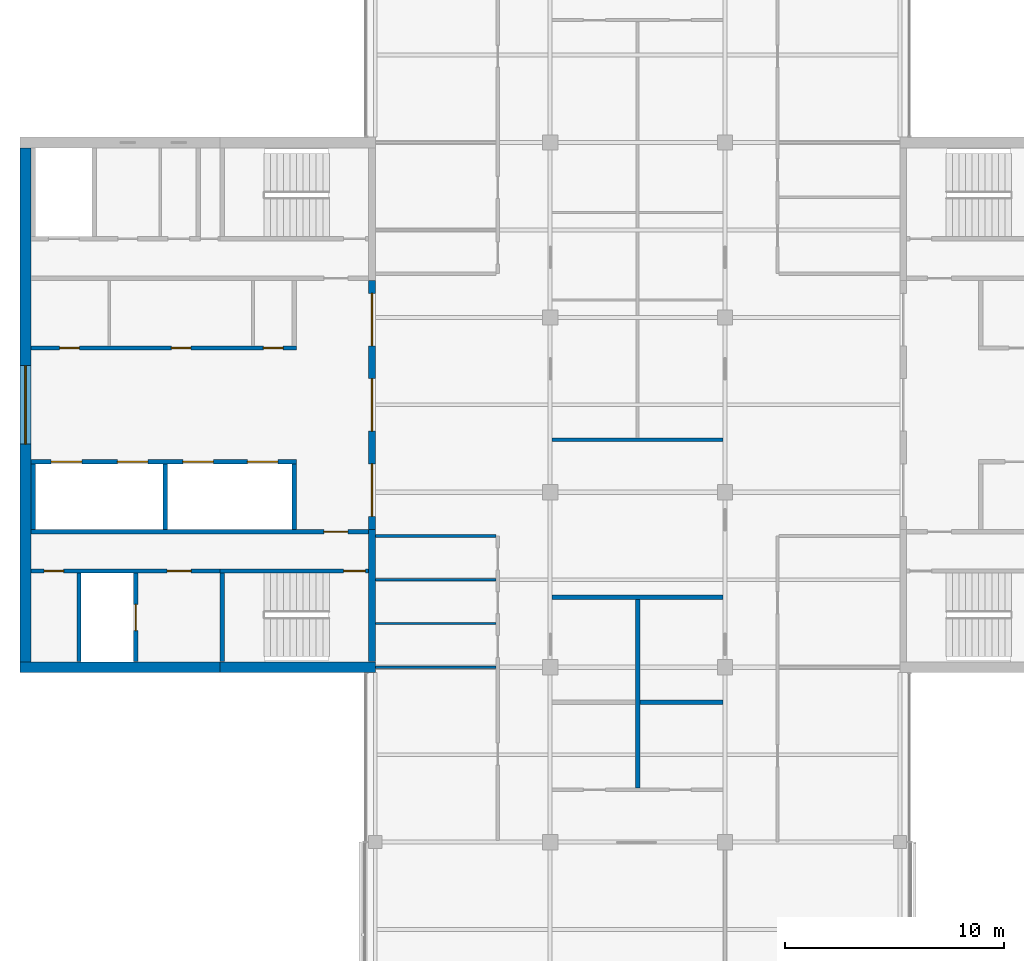
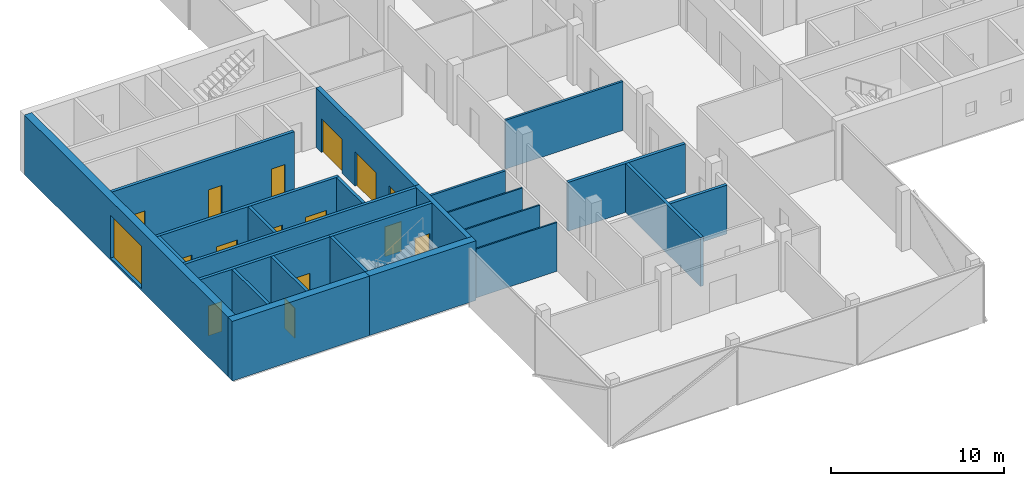
# One storey, part 9 of 16: 24 walls, 15 doors, 1 window, 16 openings.
"""IFC4 building model written with IfcOpenShell, lengths in metres."""

from ifc_helpers import new_model, si_unit, direction, frame, frame_2d, origin, place, context, subcontext, project, spatial, rectangle, extrude, material, layer, layer_set, constituent, constituent_set, type_object, element, fill, save


model = new_model("IFC4")

# Units and contexts
model_context = context("Model", 3, precision=1e-05, world=origin(), true_north=direction((0.0, 1.0)))
body_context = subcontext(model_context, "Body", "Model", "MODEL_VIEW")
ifc_project = project(units=[si_unit("LENGTHUNIT", "METRE"), si_unit("AREAUNIT", "SQUARE_METRE"), si_unit("VOLUMEUNIT", "CUBIC_METRE"), si_unit("PLANEANGLEUNIT", "RADIAN"), si_unit("MASSUNIT", "GRAM", prefix="KILO")], contexts=[model_context])

# Site, building, storey
site_placement = place(None, origin())
site = spatial("IfcSite", under=ifc_project, at=site_placement, CompositionType="ELEMENT")
building_placement = place(site_placement, origin())
building = spatial("IfcBuilding", under=site, at=building_placement, Name="Crosswind Convention Tower", CompositionType="ELEMENT")
storey_placement = place(building_placement, frame((0.0, 0.0, 270.300048828125)))
storey = spatial("IfcBuildingStorey", under=building, at=storey_placement, Name="L58", CompositionType="ELEMENT", Elevation=270.300048828125)

# Walls
ifc_material_1 = material(Name="Concrete blockwork", Category="masonry")
ifc_layer_1 = layer(ifc_material_1, 0.199951171875)
ifc_layer_set_1 = layer_set([ifc_layer_1], Name="COMPARTMENT WALL 200 BLOCKWORK")
wall_type_1 = type_object("IfcWallType", Name="COMPARTMENT WALL 200 BLOCKWORK", PredefinedType="SOLIDWALL", material=ifc_layer_set_1)
wall_1_placement = place(storey_placement, frame((125.0, 82.47509765625, 0.0), z_axis=(0.0, 0.0, 1.0), x_axis=(0.0, 1.0, 0.0)))
element("IfcWall", 1, at=wall_1_placement, inside=storey, type_object=wall_type_1, Name="Compartment wall WT42", PredefinedType="SOLIDWALL", context=body_context, shape_type="SweptSolid", body=[
    extrude(rectangle(XDim=8.625, YDim=0.199951171875, at=frame_2d((4.3125, 0.0))), origin(), (0.0, 0.0, 1.0), 3.44287109375),
])
wall_2_placement = place(storey_placement, frame((121.074951171875, 91.199951171875, 0.0), z_axis=(0.0, 0.0, 1.0), x_axis=(1.0, 0.0, 0.0)))
element("IfcWall", 2, at=wall_2_placement, inside=storey, type_object=wall_type_1, Name="Compartment wall WT42", PredefinedType="SOLIDWALL", context=body_context, shape_type="SweptSolid", body=[
    extrude(rectangle(XDim=7.824951171875, YDim=0.199951171875, at=frame_2d((3.91259765625, 0.0))), origin(), (0.0, 0.0, 1.0), 3.44287109375),
])
wall_3_placement = place(storey_placement, frame((125.10009765625, 86.39990234375, 0.0), z_axis=(0.0, 0.0, 1.0), x_axis=(1.0, 0.0, 0.0)))
element("IfcWall", 3, at=wall_3_placement, inside=storey, type_object=wall_type_1, Name="Compartment wall WT42", PredefinedType="SOLIDWALL", context=body_context, shape_type="SweptSolid", body=[
    extrude(rectangle(XDim=3.7998046875, YDim=0.199951171875, at=frame_2d((1.89990234375, 0.0))), origin(), (0.0, 0.0, 1.0), 3.44287109375),
])

# Wall, openings, doors
ifc_material_2 = material(Name="Concrete C50/60", Category="concrete")
ifc_layer_2 = layer(ifc_material_2, 0.300048828125)
ifc_layer_set_2 = layer_set([ifc_layer_2], Name="Concrete C50/60")
wall_type_2 = type_object("IfcWallType", Name="Concrete inner core wall 300", PredefinedType="SHEAR", material=ifc_layer_set_2)
wall_4_placement = place(storey_placement, frame((112.85009765625, 105.699951171875, 0.0), z_axis=(0.0, 0.0, 1.0), x_axis=(0.0, -1.0, 0.0)))
wall_4 = element("IfcWall", 4, at=wall_4_placement, inside=storey, type_object=wall_type_2, Name="Wall SCR W L58", PredefinedType="SHEAR", context=body_context, shape_type="SweptSolid", body=[
    extrude(rectangle(XDim=11.39990234375, YDim=0.300048828125, at=frame_2d((5.699951171875, 0.0))), origin(), (0.0, 0.0, 1.0), 4.199951171875),
])
opening_1_placement = place(wall_4_placement, frame((0.60009765625, 0.0, 0.0)))
opening_1 = element("IfcOpeningElement", 5, at=opening_1_placement, cuts=wall_4, Name="Opening D100", PredefinedType="OPENING", context=body_context, shape_type="SweptSolid", body=[
    extrude(rectangle(XDim=2.39990234375, YDim=2.39990234375, at=frame_2d((1.199951171875, 1.199951171875))), frame((0.0, 0.159912109375, 0.0), z_axis=(0.0, -1.0, 0.0), x_axis=(1.0, 0.0, 0.0)), (0.0, 0.0, 1.0), 0.320068359375),
])
opening_2_placement = place(wall_4_placement, frame((4.5, 0.0, 0.0)))
opening_2 = element("IfcOpeningElement", 6, at=opening_2_placement, cuts=wall_4, Name="Opening D100", PredefinedType="OPENING", context=body_context, shape_type="SweptSolid", body=[
    extrude(rectangle(XDim=2.39990234375, YDim=2.39990234375, at=frame_2d((1.199951171875, 1.199951171875))), frame((0.0, 0.159912109375, 0.0), z_axis=(0.0, -1.0, 0.0), x_axis=(1.0, 0.0, 0.0)), (0.0, 0.0, 1.0), 0.320068359375),
])
opening_3_placement = place(wall_4_placement, frame((8.39990234375, 0.0, 0.0)))
opening_3 = element("IfcOpeningElement", 7, at=opening_3_placement, cuts=wall_4, Name="Opening D100", PredefinedType="OPENING", context=body_context, shape_type="SweptSolid", body=[
    extrude(rectangle(XDim=2.39990234375, YDim=2.39990234375, at=frame_2d((1.199951171875, 1.199951171875))), frame((0.0, 0.159912109375, 0.0), z_axis=(0.0, -1.0, 0.0), x_axis=(1.0, 0.0, 0.0)), (0.0, 0.0, 1.0), 0.320068359375),
])
ifc_material_3 = material(Name="Steel fire door with glazed vision panels", Category="steel")
door_type_1 = type_object("IfcDoorType", Name="Fire-rated double door 2400x2400", OperationType="DOUBLE_DOOR_SINGLE_SWING", PredefinedType="DOOR", material=ifc_material_3)
door_1_placement = place(opening_1_placement, origin())
door_1 = element("IfcDoor", 8, at=door_1_placement, inside=storey, type_object=door_type_1, Name="Lobby door 1 L58", ObjectType="D100", OperationType="DOUBLE_DOOR_SINGLE_SWING", OverallHeight=2.39990234375, OverallWidth=2.39990234375, PredefinedType="DOOR", context=body_context, shape_type="SweptSolid", body=[
    extrude(rectangle(XDim=2.39990234375, YDim=2.39990234375, at=frame_2d((1.199951171875, 1.199951171875))), frame((0.0, 0.02490234375, 0.0), z_axis=(0.0, -1.0, 0.0), x_axis=(1.0, 0.0, 0.0)), (0.0, 0.0, 1.0), 0.050048828125),
])
fill(opening_1, door_1)
door_2_placement = place(opening_2_placement, origin())
door_2 = element("IfcDoor", 9, at=door_2_placement, inside=storey, type_object=door_type_1, Name="Lobby door 2 L58", ObjectType="D100", OperationType="DOUBLE_DOOR_SINGLE_SWING", OverallHeight=2.39990234375, OverallWidth=2.39990234375, PredefinedType="DOOR", context=body_context, shape_type="SweptSolid", body=[
    extrude(rectangle(XDim=2.39990234375, YDim=2.39990234375, at=frame_2d((1.199951171875, 1.199951171875))), frame((0.0, 0.02490234375, 0.0), z_axis=(0.0, -1.0, 0.0), x_axis=(1.0, 0.0, 0.0)), (0.0, 0.0, 1.0), 0.050048828125),
])
fill(opening_2, door_2)
door_3_placement = place(opening_3_placement, origin())
door_3 = element("IfcDoor", 10, at=door_3_placement, inside=storey, type_object=door_type_1, Name="Lobby door 3 L58", ObjectType="D100", OperationType="DOUBLE_DOOR_SINGLE_SWING", OverallHeight=2.39990234375, OverallWidth=2.39990234375, PredefinedType="DOOR", context=body_context, shape_type="SweptSolid", body=[
    extrude(rectangle(XDim=2.39990234375, YDim=2.39990234375, at=frame_2d((1.199951171875, 1.199951171875))), frame((0.0, 0.02490234375, 0.0), z_axis=(0.0, -1.0, 0.0), x_axis=(1.0, 0.0, 0.0)), (0.0, 0.0, 1.0), 0.050048828125),
])
fill(opening_3, door_3)

# Walls
wall_5_placement = place(storey_placement, frame((112.85009765625, 94.300048828125, 0.0), z_axis=(0.0, 0.0, 1.0), x_axis=(0.0, -1.0, 0.0)))
element("IfcWall", 11, at=wall_5_placement, inside=storey, type_object=wall_type_2, Name="Wall EP W L58", PredefinedType="SHEAR", context=body_context, shape_type="SweptSolid", body=[
    extrude(rectangle(XDim=6.050048828125, YDim=0.300048828125, at=frame_2d((3.02490234375, 0.0))), origin(), (0.0, 0.0, 1.0), 4.199951171875),
])
ifc_layer_3 = layer(ifc_material_2, 0.199951171875)
ifc_layer_set_3 = layer_set([ifc_layer_3], Name="Concrete C50/60")
wall_type_3 = type_object("IfcWallType", Name="Concrete shaft and stair wall 200", PredefinedType="SHEAR", material=ifc_layer_set_3)
for number, where, z_axis, x_axis, name in (
    (12, (109.300048828125, 97.300048828125, 0.0), (0.0, 0.0, 1.0), (0.0, -1.0, 0.0), "Wall RPEND W L58"),
    (13, (103.39990234375, 97.300048828125, 0.0), (0.0, 0.0, 1.0), (0.0, -1.0, 0.0), "Wall RPSEP W L58"),
    (14, (97.35009765625, 97.300048828125, 0.0), (0.0, 0.0, 1.0), (0.0, -1.0, 0.0), "Wall RPEAST W L58"),
):
    element("IfcWall", number, at=place(storey_placement, frame(where, z_axis=z_axis, x_axis=x_axis)), inside=storey, type_object=wall_type_3, Name=name, PredefinedType="SHEAR", context=body_context, shape_type="SweptSolid", body=[
        extrude(rectangle(XDim=3.0, YDim=0.199951171875, at=frame_2d((1.5, 0.0))), origin(), (0.0, 0.0, 1.0), 4.199951171875),
    ])

# Wall, openings, doors
wall_6_placement = place(storey_placement, frame((109.39990234375, 97.39990234375, 0.0), z_axis=(0.0, 0.0, 1.0), x_axis=(-1.0, 0.0, 0.0)))
wall_6 = element("IfcWall", 15, at=wall_6_placement, inside=storey, type_object=wall_type_3, Name="Wall RPFRONT W L58", PredefinedType="SHEAR", context=body_context, shape_type="SweptSolid", body=[
    extrude(rectangle(XDim=12.14990234375, YDim=0.199951171875, at=frame_2d((6.074951171875, 0.0))), origin(), (0.0, 0.0, 1.0), 4.199951171875),
])
opening_4_placement = place(wall_6_placement, frame((0.85009765625, 0.0, 0.0)))
opening_4 = element("IfcOpeningElement", 16, at=opening_4_placement, cuts=wall_6, Name="Opening LD2", PredefinedType="OPENING", context=body_context, shape_type="SweptSolid", body=[
    extrude(rectangle(XDim=1.39990234375, YDim=2.10009765625, at=frame_2d((0.699951171875, 1.050048828125))), frame((0.0, 0.10986328125, 0.0), z_axis=(0.0, -1.0, 0.0), x_axis=(1.0, 0.0, 0.0)), (0.0, 0.0, 1.0), 0.219970703125),
])
opening_5_placement = place(wall_6_placement, frame((3.800048828125, 0.0, 0.0)))
opening_5 = element("IfcOpeningElement", 17, at=opening_5_placement, cuts=wall_6, Name="Opening LD2", PredefinedType="OPENING", context=body_context, shape_type="SweptSolid", body=[
    extrude(rectangle(XDim=1.39990234375, YDim=2.10009765625, at=frame_2d((0.699951171875, 1.050048828125))), frame((0.0, 0.10986328125, 0.0), z_axis=(0.0, -1.0, 0.0), x_axis=(1.0, 0.0, 0.0)), (0.0, 0.0, 1.0), 0.219970703125),
])
opening_6_placement = place(wall_6_placement, frame((6.800048828125, 0.0, 0.0)))
opening_6 = element("IfcOpeningElement", 18, at=opening_6_placement, cuts=wall_6, Name="Opening LD2", PredefinedType="OPENING", context=body_context, shape_type="SweptSolid", body=[
    extrude(rectangle(XDim=1.39990234375, YDim=2.10009765625, at=frame_2d((0.699951171875, 1.050048828125))), frame((0.0, 0.10986328125, 0.0), z_axis=(0.0, -1.0, 0.0), x_axis=(1.0, 0.0, 0.0)), (0.0, 0.0, 1.0), 0.219970703125),
])
opening_7_placement = place(wall_6_placement, frame((9.824951171875, 0.0, 0.0)))
opening_7 = element("IfcOpeningElement", 19, at=opening_7_placement, cuts=wall_6, Name="Opening LD2", PredefinedType="OPENING", context=body_context, shape_type="SweptSolid", body=[
    extrude(rectangle(XDim=1.39990234375, YDim=2.10009765625, at=frame_2d((0.699951171875, 1.050048828125))), frame((0.0, 0.10986328125, 0.0), z_axis=(0.0, -1.0, 0.0), x_axis=(1.0, 0.0, 0.0)), (0.0, 0.0, 1.0), 0.219970703125),
])
ifc_material_4 = material(Name="Stainless steel", Category="steel")
door_type_2 = type_object("IfcDoorType", Name="Lift landing door 1400x2100", OperationType="DOUBLE_DOOR_SLIDING", PredefinedType="DOOR", material=ifc_material_4)
door_4_placement = place(opening_4_placement, origin())
door_4 = element("IfcDoor", 20, at=door_4_placement, inside=storey, type_object=door_type_2, Name="Landing door HR1 L58", ObjectType="LD2", OperationType="DOUBLE_DOOR_SLIDING", OverallHeight=2.10009765625, OverallWidth=1.39990234375, PredefinedType="DOOR", context=body_context, shape_type="SweptSolid", body=[
    extrude(rectangle(XDim=1.39990234375, YDim=2.10009765625, at=frame_2d((0.699951171875, 1.050048828125))), frame((0.0, 0.02490234375, 0.0), z_axis=(0.0, -1.0, 0.0), x_axis=(1.0, 0.0, 0.0)), (0.0, 0.0, 1.0), 0.050048828125),
])
fill(opening_4, door_4)
door_5_placement = place(opening_5_placement, origin())
door_5 = element("IfcDoor", 21, at=door_5_placement, inside=storey, type_object=door_type_2, Name="Landing door HR2 L58", ObjectType="LD2", OperationType="DOUBLE_DOOR_SLIDING", OverallHeight=2.10009765625, OverallWidth=1.39990234375, PredefinedType="DOOR", context=body_context, shape_type="SweptSolid", body=[
    extrude(rectangle(XDim=1.39990234375, YDim=2.10009765625, at=frame_2d((0.699951171875, 1.050048828125))), frame((0.0, 0.02490234375, 0.0), z_axis=(0.0, -1.0, 0.0), x_axis=(1.0, 0.0, 0.0)), (0.0, 0.0, 1.0), 0.050048828125),
])
fill(opening_5, door_5)
door_6_placement = place(opening_6_placement, origin())
door_6 = element("IfcDoor", 22, at=door_6_placement, inside=storey, type_object=door_type_2, Name="Landing door HR3 L58", ObjectType="LD2", OperationType="DOUBLE_DOOR_SLIDING", OverallHeight=2.10009765625, OverallWidth=1.39990234375, PredefinedType="DOOR", context=body_context, shape_type="SweptSolid", body=[
    extrude(rectangle(XDim=1.39990234375, YDim=2.10009765625, at=frame_2d((0.699951171875, 1.050048828125))), frame((0.0, 0.02490234375, 0.0), z_axis=(0.0, -1.0, 0.0), x_axis=(1.0, 0.0, 0.0)), (0.0, 0.0, 1.0), 0.050048828125),
])
fill(opening_6, door_6)
door_7_placement = place(opening_7_placement, origin())
door_7 = element("IfcDoor", 23, at=door_7_placement, inside=storey, type_object=door_type_2, Name="Landing door HR4 L58", ObjectType="LD2", OperationType="DOUBLE_DOOR_SLIDING", OverallHeight=2.10009765625, OverallWidth=1.39990234375, PredefinedType="DOOR", context=body_context, shape_type="SweptSolid", body=[
    extrude(rectangle(XDim=1.39990234375, YDim=2.10009765625, at=frame_2d((0.699951171875, 1.050048828125))), frame((0.0, 0.02490234375, 0.0), z_axis=(0.0, -1.0, 0.0), x_axis=(1.0, 0.0, 0.0)), (0.0, 0.0, 1.0), 0.050048828125),
])
fill(opening_7, door_7)

wall_7_placement = place(storey_placement, frame((109.39990234375, 102.60009765625, 0.0), z_axis=(0.0, 0.0, 1.0), x_axis=(-1.0, 0.0, 0.0)))
wall_7 = element("IfcWall", 24, at=wall_7_placement, inside=storey, type_object=wall_type_3, Name="Wall RMFRONT W L58", PredefinedType="SHEAR", context=body_context, shape_type="SweptSolid", body=[
    extrude(rectangle(XDim=12.14990234375, YDim=0.199951171875, at=frame_2d((6.074951171875, 0.0))), origin(), (0.0, 0.0, 1.0), 4.199951171875),
])
opening_8_placement = place(wall_7_placement, frame((0.614990234375, 0.0, 0.0)))
opening_8 = element("IfcOpeningElement", 25, at=opening_8_placement, cuts=wall_7, Name="Opening D106", PredefinedType="OPENING", context=body_context, shape_type="SweptSolid", body=[
    extrude(rectangle(XDim=0.89990234375, YDim=2.10009765625, at=frame_2d((0.449951171875, 1.050048828125))), frame((0.0, 0.10986328125, 0.0), z_axis=(0.0, -1.0, 0.0), x_axis=(1.0, 0.0, 0.0)), (0.0, 0.0, 1.0), 0.219970703125),
])
opening_9_placement = place(wall_7_placement, frame((4.828857421875, 0.0, 0.0)))
opening_9 = element("IfcOpeningElement", 26, at=opening_9_placement, cuts=wall_7, Name="Opening D106", PredefinedType="OPENING", context=body_context, shape_type="SweptSolid", body=[
    extrude(rectangle(XDim=0.89990234375, YDim=2.10009765625, at=frame_2d((0.449951171875, 1.050048828125))), frame((0.0, 0.10986328125, 0.0), z_axis=(0.0, -1.0, 0.0), x_axis=(1.0, 0.0, 0.0)), (0.0, 0.0, 1.0), 0.219970703125),
])
opening_10_placement = place(wall_7_placement, frame((9.938720703125, 0.0, 0.0)))
opening_10 = element("IfcOpeningElement", 27, at=opening_10_placement, cuts=wall_7, Name="Opening D106", PredefinedType="OPENING", context=body_context, shape_type="SweptSolid", body=[
    extrude(rectangle(XDim=0.89990234375, YDim=2.10009765625, at=frame_2d((0.449951171875, 1.050048828125))), frame((0.0, 0.10986328125, 0.0), z_axis=(0.0, -1.0, 0.0), x_axis=(1.0, 0.0, 0.0)), (0.0, 0.0, 1.0), 0.219970703125),
])
ifc_material_5 = material(Name="Timber door", Category="wood")
door_type_3 = type_object("IfcDoorType", Name="Single leaf door 900x2100", OperationType="NOTDEFINED", PredefinedType="DOOR", material=ifc_material_5)
door_8_placement = place(opening_8_placement, frame((0.89990234375, 0.0, 0.0), z_axis=(0.0, 0.0, 1.0), x_axis=(-1.0, 0.0, 0.0)))
door_8 = element("IfcDoor", 28, at=door_8_placement, inside=storey, type_object=door_type_3, Name="Door to pantry L58", ObjectType="D106", OperationType="SINGLE_SWING_LEFT", OverallHeight=2.10009765625, OverallWidth=0.89990234375, PredefinedType="DOOR", context=body_context, shape_type="SweptSolid", body=[
    extrude(rectangle(XDim=0.89990234375, YDim=2.10009765625, at=frame_2d((0.449951171875, 1.050048828125))), frame((0.0, 0.02490234375, 0.0), z_axis=(0.0, -1.0, 0.0), x_axis=(1.0, 0.0, 0.0)), (0.0, 0.0, 1.0), 0.050048828125),
])
fill(opening_8, door_8)
door_9_placement = place(opening_9_placement, frame((0.89990234375, 0.0, 0.0), z_axis=(0.0, 0.0, 1.0), x_axis=(-1.0, 0.0, 0.0)))
door_9 = element("IfcDoor", 29, at=door_9_placement, inside=storey, type_object=door_type_3, Name="Door to telecoms room L58", ObjectType="D106", OperationType="SINGLE_SWING_LEFT", OverallHeight=2.10009765625, OverallWidth=0.89990234375, PredefinedType="DOOR", context=body_context, shape_type="SweptSolid", body=[
    extrude(rectangle(XDim=0.89990234375, YDim=2.10009765625, at=frame_2d((0.449951171875, 1.050048828125))), frame((0.0, 0.02490234375, 0.0), z_axis=(0.0, -1.0, 0.0), x_axis=(1.0, 0.0, 0.0)), (0.0, 0.0, 1.0), 0.050048828125),
])
fill(opening_9, door_9)
door_10_placement = place(opening_10_placement, frame((0.89990234375, 0.0, 0.0), z_axis=(0.0, 0.0, 1.0), x_axis=(-1.0, 0.0, 0.0)))
door_10 = element("IfcDoor", 30, at=door_10_placement, inside=storey, type_object=door_type_3, Name="Door to storeroom L58", ObjectType="D106", OperationType="SINGLE_SWING_LEFT", OverallHeight=2.10009765625, OverallWidth=0.89990234375, PredefinedType="DOOR", context=body_context, shape_type="SweptSolid", body=[
    extrude(rectangle(XDim=0.89990234375, YDim=2.10009765625, at=frame_2d((0.449951171875, 1.050048828125))), frame((0.0, 0.02490234375, 0.0), z_axis=(0.0, -1.0, 0.0), x_axis=(1.0, 0.0, 0.0)), (0.0, 0.0, 1.0), 0.050048828125),
])
fill(opening_10, door_10)

# Wall, opening, door
wall_8_placement = place(storey_placement, frame((112.699951171875, 94.199951171875, 0.0), z_axis=(0.0, 0.0, 1.0), x_axis=(-1.0, 0.0, 0.0)))
wall_8 = element("IfcWall", 31, at=wall_8_placement, inside=storey, type_object=wall_type_3, Name="Wall HP W L58", PredefinedType="SHEAR", context=body_context, shape_type="SweptSolid", body=[
    extrude(rectangle(XDim=15.449951171875, YDim=0.199951171875, at=frame_2d((7.72509765625, 0.0))), origin(), (0.0, 0.0, 1.0), 4.199951171875),
])
opening_11_placement = place(wall_8_placement, frame((0.949951171875, 0.0, 0.0)))
opening_11 = element("IfcOpeningElement", 32, at=opening_11_placement, cuts=wall_8, Name="Opening D104", PredefinedType="OPENING", context=body_context, shape_type="SweptSolid", body=[
    extrude(rectangle(XDim=1.10009765625, YDim=2.10009765625, at=frame_2d((0.550048828125, 1.050048828125))), frame((0.0, 0.10986328125, 0.0), z_axis=(0.0, -1.0, 0.0), x_axis=(1.0, 0.0, 0.0)), (0.0, 0.0, 1.0), 0.219970703125),
])
ifc_material_6 = material(Name="Steel fire door", Category="steel")
door_type_4 = type_object("IfcDoorType", Name="Fire-rated single door 1100x2100", OperationType="NOTDEFINED", PredefinedType="DOOR", material=ifc_material_6)
door_11_placement = place(opening_11_placement, origin())
door_11 = element("IfcDoor", 33, at=door_11_placement, inside=storey, type_object=door_type_4, Name="Corridor door L58", ObjectType="D104", OperationType="SINGLE_SWING_LEFT", OverallHeight=2.10009765625, OverallWidth=1.10009765625, PredefinedType="DOOR", context=body_context, shape_type="SweptSolid", body=[
    extrude(rectangle(XDim=1.10009765625, YDim=2.10009765625, at=frame_2d((0.550048828125, 1.050048828125))), frame((0.0, 0.02490234375, 0.0), z_axis=(0.0, -1.0, 0.0), x_axis=(1.0, 0.0, 0.0)), (0.0, 0.0, 1.0), 0.050048828125),
])
fill(opening_11, door_11)

# Wall
wall_9_placement = place(storey_placement, frame((106.0, 92.300048828125, 0.0), z_axis=(0.0, 0.0, 1.0), x_axis=(0.0, -1.0, 0.0)))
element("IfcWall", 34, at=wall_9_placement, inside=storey, type_object=wall_type_3, Name="Wall PSE W L58", PredefinedType="SHEAR", context=body_context, shape_type="SweptSolid", body=[
    extrude(rectangle(XDim=4.050048828125, YDim=0.199951171875, at=frame_2d((2.02490234375, 0.0))), origin(), (0.0, 0.0, 1.0), 4.199951171875),
])

# Wall, opening, door
wall_10_placement = place(storey_placement, frame((102.050048828125, 92.300048828125, 0.0), z_axis=(0.0, 0.0, 1.0), x_axis=(0.0, -1.0, 0.0)))
wall_10 = element("IfcWall", 35, at=wall_10_placement, inside=storey, type_object=wall_type_3, Name="Wall PFLW W L58", PredefinedType="SHEAR", context=body_context, shape_type="SweptSolid", body=[
    extrude(rectangle(XDim=4.050048828125, YDim=0.199951171875, at=frame_2d((2.02490234375, 0.0))), origin(), (0.0, 0.0, 1.0), 4.199951171875),
])
opening_12_placement = place(wall_10_placement, frame((1.425048828125, 0.0, 0.0)))
opening_12 = element("IfcOpeningElement", 36, at=opening_12_placement, cuts=wall_10, Name="Opening LD1", PredefinedType="OPENING", context=body_context, shape_type="SweptSolid", body=[
    extrude(rectangle(XDim=1.199951171875, YDim=2.10009765625, at=frame_2d((0.60009765625, 1.050048828125))), frame((0.0, 0.10986328125, 0.0), z_axis=(0.0, -1.0, 0.0), x_axis=(1.0, 0.0, 0.0)), (0.0, 0.0, 1.0), 0.219970703125),
])
door_type_5 = type_object("IfcDoorType", Name="Lift landing door 1200x2100", OperationType="DOUBLE_DOOR_SLIDING", PredefinedType="DOOR", material=ifc_material_4)
door_12_placement = place(opening_12_placement, origin())
door_12 = element("IfcDoor", 37, at=door_12_placement, inside=storey, type_object=door_type_5, Name="Landing door FF2 L58", ObjectType="LD1", OperationType="DOUBLE_DOOR_SLIDING", OverallHeight=2.10009765625, OverallWidth=1.199951171875, PredefinedType="DOOR", context=body_context, shape_type="SweptSolid", body=[
    extrude(rectangle(XDim=1.199951171875, YDim=2.10009765625, at=frame_2d((0.60009765625, 1.050048828125))), frame((0.0, 0.02490234375, 0.0), z_axis=(0.0, -1.0, 0.0), x_axis=(1.0, 0.0, 0.0)), (0.0, 0.0, 1.0), 0.050048828125),
])
fill(opening_12, door_12)

# Wall
wall_11_placement = place(storey_placement, frame((99.449951171875, 92.300048828125, 0.0), z_axis=(0.0, 0.0, 1.0), x_axis=(0.0, -1.0, 0.0)))
element("IfcWall", 38, at=wall_11_placement, inside=storey, type_object=wall_type_3, Name="Wall PFSE W L58", PredefinedType="SHEAR", context=body_context, shape_type="SweptSolid", body=[
    extrude(rectangle(XDim=4.050048828125, YDim=0.199951171875, at=frame_2d((2.02490234375, 0.0))), origin(), (0.0, 0.0, 1.0), 4.199951171875),
])

# Wall, opening, door
wall_12_placement = place(storey_placement, frame((112.699951171875, 92.39990234375, 0.0), z_axis=(0.0, 0.0, 1.0), x_axis=(-1.0, 0.0, 0.0)))
wall_12 = element("IfcWall", 39, at=wall_12_placement, inside=storey, type_object=wall_type_3, Name="Wall PCW W L58", PredefinedType="SHEAR", context=body_context, shape_type="SweptSolid", body=[
    extrude(rectangle(XDim=6.800048828125, YDim=0.199951171875, at=frame_2d((3.39990234375, 0.0))), origin(), (0.0, 0.0, 1.0), 4.199951171875),
])
opening_13_placement = place(wall_12_placement, frame((0.14990234375, 0.0, 0.0)))
opening_13 = element("IfcOpeningElement", 40, at=opening_13_placement, cuts=wall_12, Name="Opening D103", PredefinedType="OPENING", context=body_context, shape_type="SweptSolid", body=[
    extrude(rectangle(XDim=1.0, YDim=2.10009765625, at=frame_2d((0.5, 1.050048828125))), frame((0.0, 0.10986328125, 0.0), z_axis=(0.0, -1.0, 0.0), x_axis=(1.0, 0.0, 0.0)), (0.0, 0.0, 1.0), 0.219970703125),
])
door_type_6 = type_object("IfcDoorType", Name="Fire-rated single door 1000x2100", OperationType="NOTDEFINED", PredefinedType="DOOR", material=ifc_material_6)
door_13_placement = place(opening_13_placement, origin())
door_13 = element("IfcDoor", 41, at=door_13_placement, inside=storey, type_object=door_type_6, Name="Stair ST3 door L58", ObjectType="D103", OperationType="SINGLE_SWING_LEFT", OverallHeight=2.10009765625, OverallWidth=1.0, PredefinedType="DOOR", context=body_context, shape_type="SweptSolid", body=[
    extrude(rectangle(XDim=1.0, YDim=2.10009765625, at=frame_2d((0.5, 1.050048828125))), frame((0.0, 0.02490234375, 0.0), z_axis=(0.0, -1.0, 0.0), x_axis=(1.0, 0.0, 0.0)), (0.0, 0.0, 1.0), 0.050048828125),
])
fill(opening_13, door_13)

# Wall, openings, doors
wall_13_placement = place(storey_placement, frame((105.89990234375, 92.39990234375, 0.0), z_axis=(0.0, 0.0, 1.0), x_axis=(-1.0, 0.0, 0.0)))
wall_13 = element("IfcWall", 42, at=wall_13_placement, inside=storey, type_object=wall_type_3, Name="Wall PCX W L58", PredefinedType="SHEAR", context=body_context, shape_type="SweptSolid", body=[
    extrude(rectangle(XDim=8.64990234375, YDim=0.199951171875, at=frame_2d((4.324951171875, 0.0))), origin(), (0.0, 0.0, 1.0), 4.199951171875),
])
opening_14_placement = place(wall_13_placement, frame((1.324951171875, 0.0, 0.0)))
opening_14 = element("IfcOpeningElement", 43, at=opening_14_placement, cuts=wall_13, Name="Opening D104", PredefinedType="OPENING", context=body_context, shape_type="SweptSolid", body=[
    extrude(rectangle(XDim=1.10009765625, YDim=2.10009765625, at=frame_2d((0.550048828125, 1.050048828125))), frame((0.0, 0.10986328125, 0.0), z_axis=(0.0, -1.0, 0.0), x_axis=(1.0, 0.0, 0.0)), (0.0, 0.0, 1.0), 0.219970703125),
])
opening_15_placement = place(wall_13_placement, frame((7.14990234375, 0.0, 0.0)))
opening_15 = element("IfcOpeningElement", 44, at=opening_15_placement, cuts=wall_13, Name="Opening D106", PredefinedType="OPENING", context=body_context, shape_type="SweptSolid", body=[
    extrude(rectangle(XDim=0.89990234375, YDim=2.10009765625, at=frame_2d((0.449951171875, 1.050048828125))), frame((0.0, 0.10986328125, 0.0), z_axis=(0.0, -1.0, 0.0), x_axis=(1.0, 0.0, 0.0)), (0.0, 0.0, 1.0), 0.219970703125),
])
door_14_placement = place(opening_14_placement, origin())
door_14 = element("IfcDoor", 45, at=door_14_placement, inside=storey, type_object=door_type_4, Name="Fire-fighting lobby FF2 door L58", ObjectType="D104", OperationType="SINGLE_SWING_RIGHT", OverallHeight=2.10009765625, OverallWidth=1.10009765625, PredefinedType="DOOR", context=body_context, shape_type="SweptSolid", body=[
    extrude(rectangle(XDim=1.10009765625, YDim=2.10009765625, at=frame_2d((0.550048828125, 1.050048828125))), frame((0.0, 0.02490234375, 0.0), z_axis=(0.0, -1.0, 0.0), x_axis=(1.0, 0.0, 0.0)), (0.0, 0.0, 1.0), 0.050048828125),
])
fill(opening_14, door_14)
door_15_placement = place(opening_15_placement, origin())
door_15 = element("IfcDoor", 46, at=door_15_placement, inside=storey, type_object=door_type_3, Name="Door to comms room L58", ObjectType="D106", OperationType="SINGLE_SWING_RIGHT", OverallHeight=2.10009765625, OverallWidth=0.89990234375, PredefinedType="DOOR", context=body_context, shape_type="SweptSolid", body=[
    extrude(rectangle(XDim=0.89990234375, YDim=2.10009765625, at=frame_2d((0.449951171875, 1.050048828125))), frame((0.0, 0.02490234375, 0.0), z_axis=(0.0, -1.0, 0.0), x_axis=(1.0, 0.0, 0.0)), (0.0, 0.0, 1.0), 0.050048828125),
])
fill(opening_15, door_15)

# Walls
ifc_material_7 = material(Name="Plasterboard partition", Category="gypsum")
ifc_layer_4 = layer(ifc_material_7, 0.10009765625)
ifc_layer_set_4 = layer_set([ifc_layer_4], Name="PARTITION 100 METAL STUD")
wall_type_4 = type_object("IfcWallType", Name="PARTITION 100 METAL STUD", PredefinedType="PARTITIONING", material=ifc_layer_set_4)
for number, where, z_axis, x_axis, name in (
    (47, (113.0, 88.0, 0.0), (0.0, 0.0, 1.0), (1.0, 0.0, 0.0), "Partition wall WT40"),
    (48, (113.0, 90.0, 0.0), (0.0, 0.0, 1.0), (1.0, 0.0, 0.0), "Partition wall WT40"),
    (49, (113.0, 92.0, 0.0), (0.0, 0.0, 1.0), (1.0, 0.0, 0.0), "Partition wall WT40"),
):
    element("IfcWall", number, at=place(storey_placement, frame(where, z_axis=z_axis, x_axis=x_axis)), inside=storey, type_object=wall_type_4, Name=name, PredefinedType="PARTITIONING", context=body_context, shape_type="SweptSolid", body=[
        extrude(rectangle(XDim=5.52490234375, YDim=0.10009765625, at=frame_2d((2.762451171875, 0.0))), origin(), (0.0, 0.0, 1.0), 3.44287109375),
    ])
ifc_material_8 = material(Name="Fire-board partition with mineral wool", Category="gypsum")
ifc_layer_5 = layer(ifc_material_8, 0.14990234375)
ifc_layer_set_5 = layer_set([ifc_layer_5], Name="TENANCY WALL 150 TWO-HOUR BOARD")
wall_type_5 = type_object("IfcWallType", Name="TENANCY WALL 150 TWO-HOUR BOARD", PredefinedType="PARTITIONING", material=ifc_layer_set_5)
wall_14_placement = place(storey_placement, frame((113.0, 94.0, 0.0), z_axis=(0.0, 0.0, 1.0), x_axis=(1.0, 0.0, 0.0)))
element("IfcWall", 50, at=wall_14_placement, inside=storey, type_object=wall_type_5, Name="Tenancy wall WT41", PredefinedType="PARTITIONING", context=body_context, shape_type="SweptSolid", body=[
    extrude(rectangle(XDim=5.52490234375, YDim=0.14990234375, at=frame_2d((2.762451171875, 0.0))), origin(), (0.0, 0.0, 1.0), 3.44287109375),
])
wall_15_placement = place(storey_placement, frame((121.074951171875, 98.39990234375, 0.0), z_axis=(0.0, 0.0, 1.0), x_axis=(1.0, 0.0, 0.0)))
element("IfcWall", 51, at=wall_15_placement, inside=storey, type_object=wall_type_5, Name="Tenancy wall WT41", PredefinedType="PARTITIONING", context=body_context, shape_type="SweptSolid", body=[
    extrude(rectangle(XDim=7.824951171875, YDim=0.14990234375, at=frame_2d((3.91259765625, 0.0))), origin(), (0.0, 0.0, 1.0), 3.44287109375),
])
ifc_material_9 = material(Name="Concrete C60/75", Category="concrete")
ifc_constituent_1 = constituent(ifc_material_9, Name="Structure")
ifc_material_10 = material(Name="Terracotta rainscreen", Category="ceramic")
ifc_constituent_2 = constituent(ifc_material_10, Name="Facing")
ifc_constituent_set = constituent_set(constituents=[ifc_constituent_1, ifc_constituent_2], Name="Concrete C60/75, Terracotta rainscreen")
wall_type_6 = type_object("IfcWallType", Name="Terracotta rainscreen on concrete core wall 500", PredefinedType="SHEAR", material=ifc_constituent_set)
wall_16_placement = place(storey_placement, frame((113.0, 88.0, 0.0), z_axis=(0.0, 0.0, 1.0), x_axis=(-1.0, 0.0, 0.0)))
element("IfcWall", 52, at=wall_16_placement, inside=storey, type_object=wall_type_6, Name="Wall N1 W L58", PredefinedType="SHEAR", context=body_context, shape_type="SweptSolid", body=[
    extrude(rectangle(XDim=7.10009765625, YDim=0.5, at=frame_2d((3.550048828125, 0.0))), origin(), (0.0, 0.0, 1.0), 4.199951171875),
])
wall_17_placement = place(storey_placement, frame((105.89990234375, 88.0, 0.0), z_axis=(0.0, 0.0, 1.0), x_axis=(-1.0, 0.0, 0.0)))
element("IfcWall", 53, at=wall_17_placement, inside=storey, type_object=wall_type_6, Name="Wall N2 W L58", PredefinedType="SHEAR", context=body_context, shape_type="SweptSolid", body=[
    extrude(rectangle(XDim=9.14990234375, YDim=0.5, at=frame_2d((4.574951171875, 0.0))), origin(), (0.0, 0.0, 1.0), 4.199951171875),
])

# Wall, opening, window
wall_18_placement = place(storey_placement, frame((97.0, 111.75, 0.0), z_axis=(0.0, 0.0, 1.0), x_axis=(0.0, -1.0, 0.0)))
wall_18 = element("IfcWall", 54, at=wall_18_placement, inside=storey, type_object=wall_type_6, Name="Wall O W L58", PredefinedType="SHEAR", context=body_context, shape_type="SweptSolid", body=[
    extrude(rectangle(XDim=23.5, YDim=0.5, at=frame_2d((11.75, 0.0))), origin(), (0.0, 0.0, 1.0), 4.199951171875),
])
opening_16_placement = place(wall_18_placement, frame((9.949951171875, 0.0, 0.14990234375)))
opening_16 = element("IfcOpeningElement", 55, at=opening_16_placement, cuts=wall_18, Name="Opening W1", PredefinedType="OPENING", context=body_context, shape_type="SweptSolid", body=[
    extrude(rectangle(XDim=3.60009765625, YDim=3.0, at=frame_2d((1.800048828125, 1.5))), frame((0.0, 0.260009765625, 0.0), z_axis=(0.0, -1.0, 0.0), x_axis=(1.0, 0.0, 0.0)), (0.0, 0.0, 1.0), 0.52001953125),
])
ifc_material_11 = material(Name="Clear laminated glass in aluminium frame", Category="aluminium")
window_type = type_object("IfcWindowType", Name="Lobby end window 3600x3000", PartitioningType="SINGLE_PANEL", PredefinedType="WINDOW", material=ifc_material_11)
window_placement = place(opening_16_placement, origin())
window = element("IfcWindow", 56, at=window_placement, inside=storey, type_object=window_type, Name="Lobby end window L58", ObjectType="W1", OverallHeight=3.0, OverallWidth=3.60009765625, PartitioningType="SINGLE_PANEL", PredefinedType="WINDOW", context=body_context, shape_type="SweptSolid", body=[
    extrude(rectangle(XDim=3.60009765625, YDim=3.0, at=frame_2d((1.800048828125, 1.5))), frame((0.0, 0.030029296875, 0.0), z_axis=(0.0, -1.0, 0.0), x_axis=(1.0, 0.0, 0.0)), (0.0, 0.0, 1.0), 0.06005859375),
])
fill(opening_16, window)

save(model, "model.ifc")
